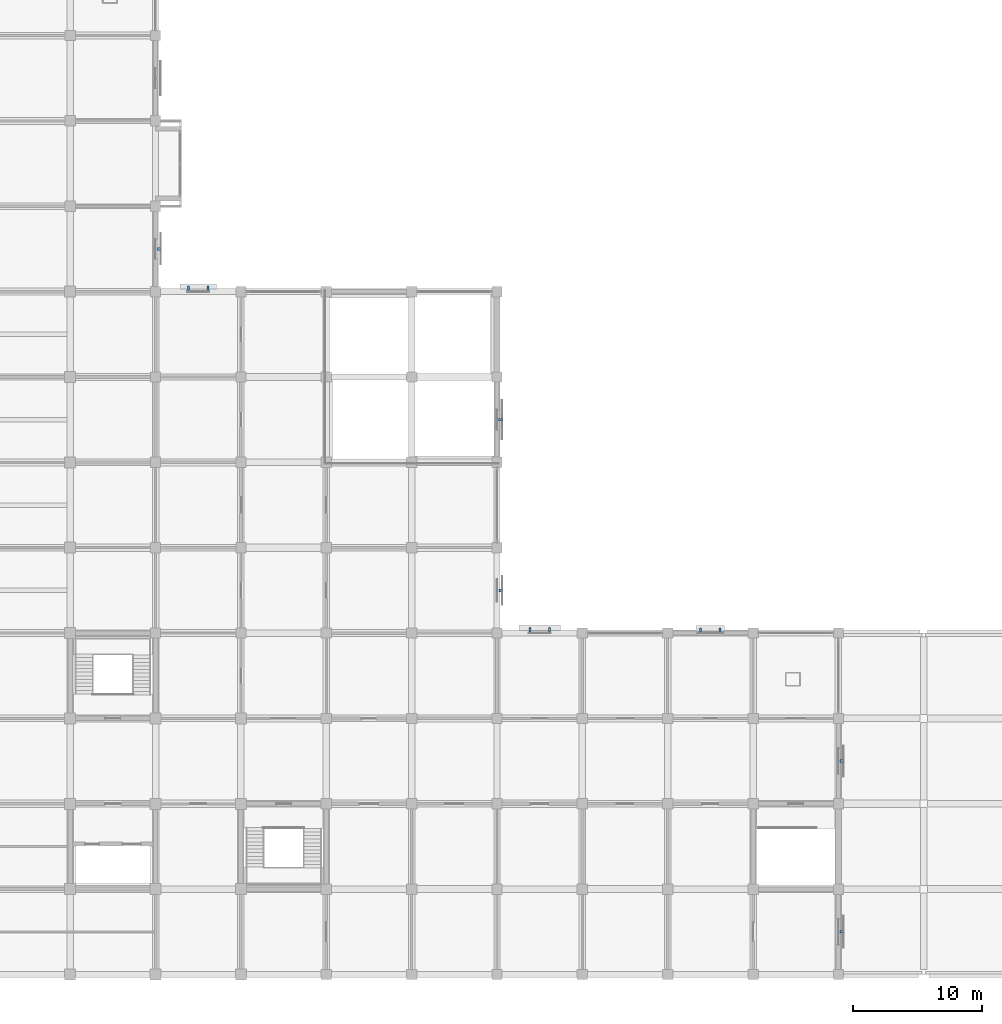
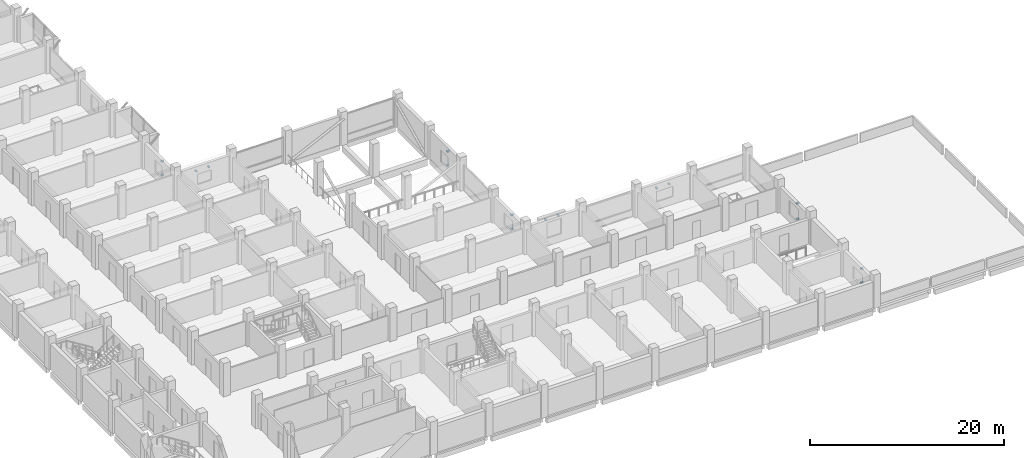
# One storey, part 25 of 30: 16 discrete accessories.
"""IFC4 building model written with IfcOpenShell, lengths in metres."""

from ifc_helpers import new_model, si_unit, direction, frame, origin, origin_2d, place, context, subcontext, project, spatial, rectangle, extrude, material, type_object, element, save


model = new_model("IFC4")

# Units and contexts
model_context = context("Model", 3, precision=1e-05, world=origin(), true_north=direction((0.0, 1.0)))
body_context = subcontext(model_context, "Body", "Model", "MODEL_VIEW")
ifc_project = project(units=[si_unit("LENGTHUNIT", "METRE"), si_unit("AREAUNIT", "SQUARE_METRE"), si_unit("VOLUMEUNIT", "CUBIC_METRE"), si_unit("PLANEANGLEUNIT", "RADIAN"), si_unit("MASSUNIT", "GRAM", prefix="KILO")], contexts=[model_context])

# Site, building, storey
site_placement = place(None, origin())
site = spatial("IfcSite", under=ifc_project, at=site_placement, CompositionType="ELEMENT")
building_placement = place(site_placement, origin())
building = spatial("IfcBuilding", under=site, at=building_placement, Name="Rusizi Kubbe Research Institute", CompositionType="ELEMENT")
storey_placement = place(building_placement, frame((0.0, 0.0, 10.199951171875)))
storey = spatial("IfcBuildingStorey", under=building, at=storey_placement, Name="L02", CompositionType="ELEMENT", Elevation=10.199951171875)

# Discrete accessories
ifc_material_1 = material(Name="Steel S355", Category="steel")
discrete_accessory_type_1 = type_object("IfcDiscreteAccessoryType", Name="BK-01", PredefinedType="BRACKET", material=ifc_material_1)
for number, where, z_axis, x_axis, name in (
    (1, (26.6875, 56.10009765625, 0.740234375), (0.0, 0.0, 1.0), (1.0, 0.0, 0.0), "Solar Screen Bracket 30-1"),
    (2, (26.6875, 56.10009765625, 2.5), (0.0, 0.0, 1.0), (1.0, 0.0, 0.0), "Solar Screen Bracket 30-2"),
    (3, (53.08740234375, 29.699951171875, 0.740234375), (0.0, 0.0, 1.0), (1.0, 0.0, 0.0), "Solar Screen Bracket 33-1"),
    (4, (53.08740234375, 29.699951171875, 2.5), (0.0, 0.0, 1.0), (1.0, 0.0, 0.0), "Solar Screen Bracket 33-2"),
    (5, (53.072509765625, 42.89990234375, 0.740234375), (0.0, 0.0, 1.0), (1.0, 0.0, 0.0), "Solar Screen Bracket 34-1"),
    (6, (53.072509765625, 42.89990234375, 2.5), (0.0, 0.0, 1.0), (1.0, 0.0, 0.0), "Solar Screen Bracket 34-2"),
    (7, (79.487548828125, 3.300048828125, 0.740234375), (0.0, 0.0, 1.0), (1.0, 0.0, 0.0), "Solar Screen Bracket 35-1"),
    (8, (79.487548828125, 3.300048828125, 2.5), (0.0, 0.0, 1.0), (1.0, 0.0, 0.0), "Solar Screen Bracket 35-2"),
    (9, (79.472412109375, 16.5, 0.740234375), (0.0, 0.0, 1.0), (1.0, 0.0, 0.0), "Solar Screen Bracket 36-1"),
    (10, (79.472412109375, 16.5, 2.72021484375), (0.0, 0.0, 1.0), (1.0, 0.0, 0.0), "Solar Screen Bracket 36-2"),
):
    element("IfcDiscreteAccessory", number, at=place(storey_placement, frame(where, z_axis=z_axis, x_axis=x_axis)), inside=storey, type_object=discrete_accessory_type_1, Name=name, PredefinedType="BRACKET", context=body_context, shape_type="SweptSolid", body=[
        extrude(rectangle(XDim=0.300048828125, YDim=0.219970703125, at=origin_2d()), origin(), (0.0, 0.0, 1.0), 0.179931640625),
    ])
ifc_material_2 = material(Name="Steel S355", Category="steel")
discrete_accessory_type_2 = type_object("IfcDiscreteAccessoryType", Name="BK-02", PredefinedType="BRACKET", material=ifc_material_2)
for number, where, z_axis, x_axis, name in (
    (11, (28.949951171875, 53.077392578125, 2.30029296875), (0.0, 0.0, 1.0), (1.0, 0.0, 0.0), "Louver Canopy Bracket 21-1"),
    (12, (30.449951171875, 53.077392578125, 2.30029296875), (0.0, 0.0, 1.0), (1.0, 0.0, 0.0), "Louver Canopy Bracket 21-2"),
    (13, (55.35009765625, 26.677490234375, 2.9599609375), (0.0, 0.0, 1.0), (1.0, 0.0, 0.0), "Louver Canopy Bracket 22-1"),
    (14, (56.85009765625, 26.677490234375, 2.9599609375), (0.0, 0.0, 1.0), (1.0, 0.0, 0.0), "Louver Canopy Bracket 22-2"),
    (15, (68.550048828125, 26.66259765625, 2.30029296875), (0.0, 0.0, 1.0), (1.0, 0.0, 0.0), "Louver Canopy Bracket 23-1"),
    (16, (70.050048828125, 26.66259765625, 2.30029296875), (0.0, 0.0, 1.0), (1.0, 0.0, 0.0), "Louver Canopy Bracket 23-2"),
):
    element("IfcDiscreteAccessory", number, at=place(storey_placement, frame(where, z_axis=z_axis, x_axis=x_axis)), inside=storey, type_object=discrete_accessory_type_2, Name=name, PredefinedType="BRACKET", context=body_context, shape_type="SweptSolid", body=[
        extrude(rectangle(XDim=0.159912109375, YDim=0.280029296875, at=origin_2d()), origin(), (0.0, 0.0, 1.0), 0.179931640625),
    ])

save(model, "model.ifc")
